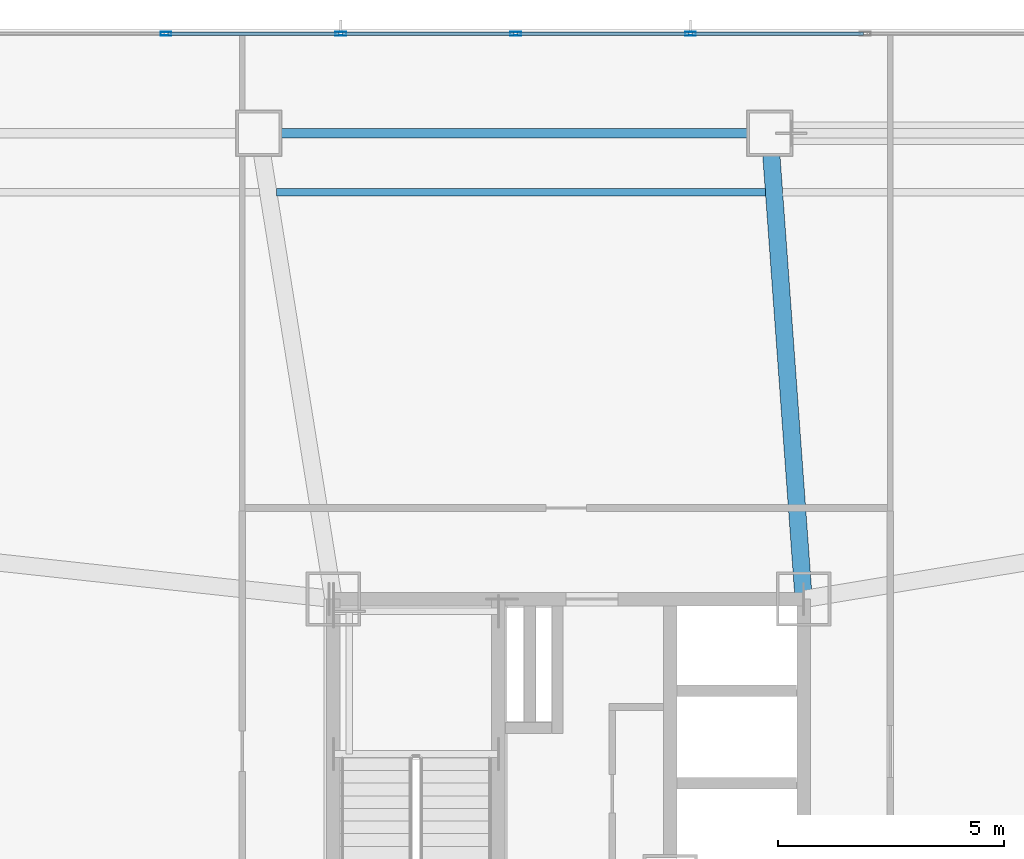
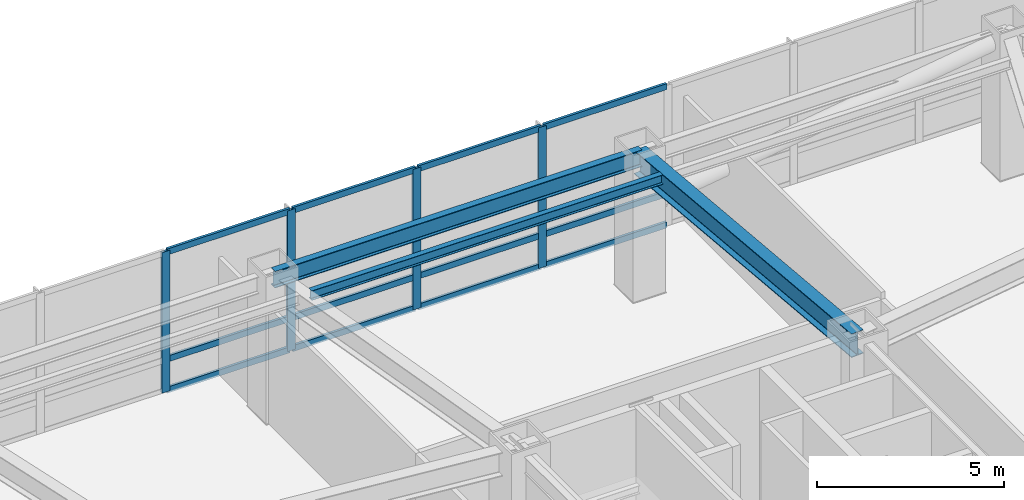
# One storey, part 3 of 14: 16 members, 3 beams, 1 element without a shape of its own.
"""IFC4 building model written with IfcOpenShell, lengths in metres."""

import ifcopenshell
import ifcopenshell.guid

model = None  # the IFC model being written
_history = None  # IfcOwnerHistory: only IFC2X3 demands one
_inside = {}  # id of a spatial element -> (the spatial element, [elements in it])
_under = {}  # id of a project, library or spatial element -> (it, [spatial elements below it])
_declared = {}  # id of a project -> (the project, [libraries it declares])
_typed = {}  # id of a type object -> (the type object, [elements of that type])
_made_of = {}  # id of a material, layer set ... -> (it, [elements and type objects made of it])


def new_model(schema):
    """Start an empty IFC model of exactly this schema.

    Asked for "IFC4X3", IfcOpenShell would pick the latest addendum, in which some entities
    have other attributes; the version numbers below select the first issue.
    IFC2X3 requires an IfcOwnerHistory on every rooted entity: one is made here for all.
    """
    global model, _history
    if schema == "IFC4X3":
        model = ifcopenshell.file(schema_version=(4, 3, 0, 0))
    else:
        model = ifcopenshell.file(schema=schema)
    _inside.clear()
    _under.clear()
    _declared.clear()
    _typed.clear()
    _made_of.clear()
    _history = None
    if model.schema == "IFC2X3":
        org = make("IfcOrganization", Name="unknown")
        user = make(
            "IfcPersonAndOrganization",
            ThePerson=make("IfcPerson", FamilyName="unknown"),
            TheOrganization=org,
        )
        app = make(
            "IfcApplication",
            ApplicationDeveloper=org,
            Version="unknown",
            ApplicationFullName="unknown",
            ApplicationIdentifier="unknown",
        )
        _history = make(
            "IfcOwnerHistory",
            OwningUser=user,
            OwningApplication=app,
            ChangeAction="ADDED",
            CreationDate=0,
        )
    return model


def make(cls, **values):
    """One entity of the class cls with the attributes given. An attribute that is None is left unset."""
    return model.create_entity(
        cls, **{name: value for name, value in values.items() if value is not None}
    )


def rooted(cls, **values):
    """An entity with a GlobalId (a new one), such as an element, a storey or a relation."""
    return make(cls, GlobalId=ifcopenshell.guid.new(), OwnerHistory=_history, **values)


def si_unit(unit_type, name, prefix=None):
    """IfcSIUnit, for example si_unit("LENGTHUNIT", "METRE", prefix="MILLI")."""
    return make("IfcSIUnit", UnitType=unit_type, Prefix=prefix, Name=name)


def assignment(units):
    """IfcUnitAssignment: the units of a project."""
    return None if units is None else make("IfcUnitAssignment", Units=units)


def point(xyz):
    """IfcCartesianPoint."""
    return None if xyz is None else make("IfcCartesianPoint", Coordinates=xyz)


def direction(xyz):
    """IfcDirection."""
    return None if xyz is None else make("IfcDirection", DirectionRatios=xyz)


def frame(location, z_axis=None, x_axis=None):
    """IfcAxis2Placement3D, a coordinate frame: its origin and axes. An axis left out is left unset."""
    return make(
        "IfcAxis2Placement3D",
        Location=point(location),
        Axis=direction(z_axis),
        RefDirection=direction(x_axis),
    )


def frame_2d(location, x_axis=None):
    """IfcAxis2Placement2D, a coordinate frame in the plane: its origin and x axis."""
    return make(
        "IfcAxis2Placement2D", Location=point(location), RefDirection=direction(x_axis)
    )


def origin():
    """The frame at (0, 0, 0) with its axes left unset."""
    return frame((0.0, 0.0, 0.0))


def origin_2d():
    """The frame at (0, 0) in the plane with its x axis left unset."""
    return frame_2d((0.0, 0.0))


def place(relative_to, where):
    """IfcLocalPlacement: puts the frame where relative to a parent placement (None: the world)."""
    return make(
        "IfcLocalPlacement", PlacementRelTo=relative_to, RelativePlacement=where
    )


def context(
    kind, dimensions, precision=None, world=None, true_north=None, identifier=None
):
    """IfcGeometricRepresentationContext, for example the 3D "Model" context."""
    return make(
        "IfcGeometricRepresentationContext",
        ContextIdentifier=identifier,
        ContextType=kind,
        CoordinateSpaceDimension=dimensions,
        Precision=precision,
        WorldCoordinateSystem=world,
        TrueNorth=true_north,
    )


def subcontext(parent, identifier, kind, view, scale=None):
    """IfcGeometricRepresentationSubContext, for example "Body" below "Model"."""
    return make(
        "IfcGeometricRepresentationSubContext",
        ContextIdentifier=identifier,
        ContextType=kind,
        ParentContext=parent,
        TargetScale=scale,
        TargetView=view,
    )


def project(units=None, contexts=None):
    """IfcProject with its units and contexts."""
    return rooted(
        "IfcProject",
        Name="project",
        RepresentationContexts=contexts,
        UnitsInContext=assignment(units),
    )


def spatial(cls, under=None, at=None, **own):
    """A site, building, storey or space (cls), placed at a placement, below another one or the project."""
    s = rooted(cls, ObjectPlacement=at, **own)
    if under is not None:
        _under.setdefault(under.id(), (under, []))[1].append(s)
    return s


def profile(cls, at=None, kind="AREA", **sizes):
    """A parametric profile (cls). Its sizes go by their IFC names, for example OverallWidth=200.0."""
    return make(cls, ProfileType=kind, Position=at, **sizes)


def hollow_rectangle(**sizes):
    """IfcRectangleHollowProfileDef."""
    return profile("IfcRectangleHollowProfileDef", **sizes)


def i_section(**sizes):
    """IfcIShapeProfileDef."""
    return profile("IfcIShapeProfileDef", **sizes)


def extrude(swept, where, along, depth):
    """IfcExtrudedAreaSolid: the profile swept, set in the frame where, extruded along a direction by depth."""
    return make(
        "IfcExtrudedAreaSolid",
        SweptArea=swept,
        Position=where,
        ExtrudedDirection=direction(along),
        Depth=depth,
    )


def shape(context_of_items, identifier, shape_type, items):
    """IfcShapeRepresentation: the items that make up one representation, for example the "Body"."""
    return make(
        "IfcShapeRepresentation",
        ContextOfItems=context_of_items,
        RepresentationIdentifier=identifier,
        RepresentationType=shape_type,
        Items=items,
    )


def material(Name=None, Category=None):
    """IfcMaterial."""
    return make("IfcMaterial", Name=Name, Category=Category)


def material_profile(
    of_material, cross_section, Name=None, Category=None, Priority=None
):
    """IfcMaterialProfile: a cross section and its material."""
    return make(
        "IfcMaterialProfile",
        Name=Name,
        Material=of_material,
        Profile=cross_section,
        Priority=Priority,
        Category=Category,
    )


def profile_set(profiles, Name=None, composite=None):
    """IfcMaterialProfileSet."""
    return make(
        "IfcMaterialProfileSet",
        Name=Name,
        MaterialProfiles=profiles,
        CompositeProfile=composite,
    )


def made_of(thing, what):
    """Note that an element or type object is made of a material, layer set ...; save() writes the relation."""
    if what is not None:
        _made_of.setdefault(what.id(), (what, []))[1].append(thing)
    return thing


def type_object(cls, material=None, **own):
    """A type object (cls), such as IfcWallType, which elements share."""
    return made_of(rooted(cls, **own), material)


def element(
    cls,
    number,
    at=None,
    inside=None,
    cuts=None,
    type_object=None,
    material=None,
    context=None,
    identifier="Body",
    shape_type=None,
    held_by="IfcProductDefinitionShape",
    body=None,
    shapes=None,
    **own,
):
    """One element of the class cls, such as IfcWall. Its Tag is "e" and its number.

    at: its placement. inside: the storey or other place that contains it. cuts: it is an
    opening in that element (IfcRelVoidsElement). A single representation is given by context,
    identifier, shape_type and body (its items); several are given by shapes. held_by: the class
    of the entity that holds the representations. save() writes the other relations.
    """
    e = rooted(cls, Tag="e%d" % number, ObjectPlacement=at, **own)
    if body is not None:
        shapes = [shape(context, identifier, shape_type, body)]
    if shapes is not None:
        e.Representation = make(held_by, Representations=shapes)
    if inside is not None:
        _inside.setdefault(inside.id(), (inside, []))[1].append(e)
    if cuts is not None:
        rooted(
            "IfcRelVoidsElement", RelatingBuildingElement=cuts, RelatedOpeningElement=e
        )
    if type_object is not None:
        _typed.setdefault(type_object.id(), (type_object, []))[1].append(e)
    return made_of(e, material)


def aggregate(whole, parts):
    """IfcRelAggregates: a whole, such as a stair, and the parts it consists of."""
    return rooted("IfcRelAggregates", RelatingObject=whole, RelatedObjects=parts)


def save(model, path):
    """Write the relations noted so far, then the file.

    IfcRelAggregates (storeys below a building ...), IfcRelContainedInSpatialStructure (elements
    in a storey), IfcRelDefinesByType, IfcRelAssociatesMaterial and IfcRelDeclares: one each for
    every whole, place, type object, material and project.
    """
    for whole, parts in _under.values():
        aggregate(whole, parts)
    for where, things in _inside.values():
        rooted(
            "IfcRelContainedInSpatialStructure",
            RelatedElements=things,
            RelatingStructure=where,
        )
    for kind, things in _typed.values():
        rooted("IfcRelDefinesByType", RelatedObjects=things, RelatingType=kind)
    for what, things in _made_of.values():
        rooted("IfcRelAssociatesMaterial", RelatedObjects=things, RelatingMaterial=what)
    for by, libraries in _declared.values():
        rooted("IfcRelDeclares", RelatingContext=by, RelatedDefinitions=libraries)
    model.write(path)


model = new_model("IFC4")

# Units and contexts
model_context = context("Model", 3, precision=1e-05, world=origin(), true_north=direction((0.0, 1.0)))
body_context = subcontext(model_context, "Body", "Model", "MODEL_VIEW")
ifc_project = project(units=[si_unit("LENGTHUNIT", "METRE"), si_unit("AREAUNIT", "SQUARE_METRE"), si_unit("VOLUMEUNIT", "CUBIC_METRE"), si_unit("PLANEANGLEUNIT", "RADIAN"), si_unit("MASSUNIT", "GRAM", prefix="KILO")], contexts=[model_context])

# Site, building, storey
site_placement = place(None, origin())
site = spatial("IfcSite", under=ifc_project, at=site_placement, CompositionType="ELEMENT")
building_placement = place(site_placement, origin())
building = spatial("IfcBuilding", under=site, at=building_placement, Name="Khamvora Tower", CompositionType="ELEMENT")
storey_placement = place(building_placement, frame((0.0, 0.0, 89.800048828125)))
storey = spatial("IfcBuildingStorey", under=building, at=storey_placement, Name="L22", CompositionType="ELEMENT", Elevation=89.800048828125)

# Beams
ifc_material_1 = material(Name="Steel S355", Category="steel")
ifc_material_profile_1 = material_profile(ifc_material_1, i_section(OverallWidth=0.166015625, OverallDepth=0.31298828125, WebThickness=0.007080078125, FlangeThickness=0.010986328125, FilletRadius=0.010009765625, at=origin_2d()), Name="W310x45")
ifc_profile_set_1 = profile_set([ifc_material_profile_1], Name="Steel S355")
beam_type_1 = type_object("IfcBeamType", Name="BM-JS-W310x45", PredefinedType="JOIST", material=ifc_profile_set_1)
beam_1_placement = place(storey_placement, frame((27.74609375, 46.0, 4.424072265625), z_axis=(1.0, 0.0, 0.0), x_axis=(0.0, 1.0, 0.0)))
element("IfcBeam", 1, at=beam_1_placement, inside=storey, type_object=beam_type_1, Name="L22 secondary floor joist 07", PredefinedType="JOIST", context=body_context, shape_type="SweptSolid", body=[
    extrude(i_section(OverallWidth=0.166015625, OverallDepth=0.31298828125, WebThickness=0.007080078125, FlangeThickness=0.010986328125, FilletRadius=0.010009765625, at=origin_2d()), origin(), (0.0, 0.0, 1.0), 10.81298828125),
])
ifc_material_profile_2 = material_profile(ifc_material_1, i_section(OverallWidth=0.381103515625, OverallDepth=0.77294921875, WebThickness=0.01708984375, FlangeThickness=0.027099609375, FilletRadius=0.01806640625, at=origin_2d()), Name="W760x257")
ifc_profile_set_2 = profile_set([ifc_material_profile_2], Name="Steel S355")
beam_type_2 = type_object("IfcBeamType", Name="BM-PG-W760x257", PredefinedType="BEAM", material=ifc_profile_set_2)
beam_2_placement = place(storey_placement, frame((39.39990234375, 37.0, 4.19287109375), z_axis=(-0.07262291808, 0.997359469685, 0.0), x_axis=(-0.997359469685, -0.07262291808, 0.0)))
element("IfcBeam", 2, at=beam_2_placement, inside=storey, type_object=beam_type_2, Name="L22 primary floor girder N3", PredefinedType="BEAM", context=body_context, shape_type="SweptSolid", body=[
    extrude(i_section(OverallWidth=0.381103515625, OverallDepth=0.77294921875, WebThickness=0.01708984375, FlangeThickness=0.027099609375, FilletRadius=0.01806640625, at=origin_2d()), origin(), (0.0, 0.0, 1.0), 10.327392578125),
])
ifc_material_profile_3 = material_profile(ifc_material_1, i_section(OverallWidth=0.2119140625, OverallDepth=0.5439453125, WebThickness=0.012939453125, FlangeThickness=0.02099609375, FilletRadius=0.013916015625, at=origin_2d()), Name="W530x123")
ifc_profile_set_3 = profile_set([ifc_material_profile_3], Name="Steel S355")
beam_type_3 = type_object("IfcBeamType", Name="BM-SP-W530x123", PredefinedType="SPANDREL", material=ifc_profile_set_3)
beam_3_placement = place(storey_placement, frame((38.64990234375, 47.300048828125, 4.307861328125), z_axis=(-1.0, 0.0, 0.0), x_axis=(0.0, -1.0, 0.0)))
element("IfcBeam", 3, at=beam_3_placement, inside=storey, type_object=beam_type_3, Name="L22 perimeter spandrel beam N3-N2", PredefinedType="SPANDREL", context=body_context, shape_type="SweptSolid", body=[
    extrude(i_section(OverallWidth=0.2119140625, OverallDepth=0.5439453125, WebThickness=0.012939453125, FlangeThickness=0.02099609375, FilletRadius=0.013916015625, at=origin_2d()), origin(), (0.0, 0.0, 1.0), 11.2998046875),
])

# Curtain wall, members
ifc_material_2 = material(Name="Anodised Aluminium 6063-T6", Category="aluminium")
curtain_wall_type = type_object("IfcCurtainWallType", Name="CW-SYS-06", PredefinedType="NOTDEFINED", material=ifc_material_2)
curtain_wall_placement = place(storey_placement, origin())
curtain_wall = element("IfcCurtainWall", 4, at=curtain_wall_placement, inside=storey, type_object=curtain_wall_type, Name="L22 stick curtain wall 07.1", PredefinedType="NOTDEFINED")
ifc_material_profile_4 = material_profile(ifc_material_2, hollow_rectangle(XDim=0.080078125, YDim=0.239990234375, WallThickness=0.0048828125, at=origin_2d()), Name="MUL80x240x5")
ifc_profile_set_4 = profile_set([ifc_material_profile_4], Name="Anodised Aluminium 6063-T6")
member_type_1 = type_object("IfcMemberType", Name="CW-SYS-06-MUL", PredefinedType="MULLION", material=ifc_profile_set_4)
member_1_placement = place(storey_placement, frame((25.299072265625, 49.5, 0.0), z_axis=(0.0, 0.0, 1.0), x_axis=(0.0, 1.0, 0.0)))
member_1 = element("IfcMember", 5, at=member_1_placement, type_object=member_type_1, Name="CW-06 mullion 4", PredefinedType="MULLION", context=body_context, shape_type="SweptSolid", body=[
    extrude(hollow_rectangle(XDim=0.080078125, YDim=0.239990234375, WallThickness=0.0048828125, at=origin_2d()), origin(), (0.0, 0.0, 1.0), 4.579833984375),
])
member_2_placement = place(storey_placement, frame((29.164794921875, 49.5, 0.0), z_axis=(0.0, 0.0, 1.0), x_axis=(0.0, 1.0, 0.0)))
member_2 = element("IfcMember", 6, at=member_2_placement, type_object=member_type_1, Name="CW-06 mullion 5", PredefinedType="MULLION", context=body_context, shape_type="SweptSolid", body=[
    extrude(hollow_rectangle(XDim=0.080078125, YDim=0.239990234375, WallThickness=0.0048828125, at=origin_2d()), origin(), (0.0, 0.0, 1.0), 4.579833984375),
])
member_3_placement = place(storey_placement, frame((33.030517578125, 49.5, 0.0), z_axis=(0.0, 0.0, 1.0), x_axis=(0.0, 1.0, 0.0)))
member_3 = element("IfcMember", 7, at=member_3_placement, type_object=member_type_1, Name="CW-06 mullion 6", PredefinedType="MULLION", context=body_context, shape_type="SweptSolid", body=[
    extrude(hollow_rectangle(XDim=0.080078125, YDim=0.239990234375, WallThickness=0.0048828125, at=origin_2d()), origin(), (0.0, 0.0, 1.0), 4.579833984375),
])
member_4_placement = place(storey_placement, frame((36.896240234375, 49.5, 0.0), z_axis=(0.0, 0.0, 1.0), x_axis=(0.0, 1.0, 0.0)))
member_4 = element("IfcMember", 8, at=member_4_placement, type_object=member_type_1, Name="CW-06 mullion 7", PredefinedType="MULLION", context=body_context, shape_type="SweptSolid", body=[
    extrude(hollow_rectangle(XDim=0.080078125, YDim=0.239990234375, WallThickness=0.0048828125, at=origin_2d()), origin(), (0.0, 0.0, 1.0), 4.579833984375),
])
ifc_material_profile_5 = material_profile(ifc_material_2, hollow_rectangle(XDim=0.080078125, YDim=0.195068359375, WallThickness=0.0048828125, at=origin_2d()), Name="TRN80x195x5")
ifc_profile_set_5 = profile_set([ifc_material_profile_5], Name="Anodised Aluminium 6063-T6")
member_type_2 = type_object("IfcMemberType", Name="CW-SYS-06-TRN", PredefinedType="USERDEFINED", material=ifc_profile_set_5)
member_5_placement = place(storey_placement, frame((25.339111328125, 49.5, 0.0400390625), z_axis=(1.0, 0.0, 0.0), x_axis=(0.0, 1.0, 0.0)))
member_5 = element("IfcMember", 9, at=member_5_placement, type_object=member_type_2, Name="CW-06 transom 4.1", ObjectType="TRANSOM", PredefinedType="USERDEFINED", context=body_context, shape_type="SweptSolid", body=[
    extrude(hollow_rectangle(XDim=0.080078125, YDim=0.195068359375, WallThickness=0.0048828125, at=origin_2d()), origin(), (0.0, 0.0, 1.0), 3.78564453125),
])
member_6_placement = place(storey_placement, frame((25.339111328125, 49.5, 1.050048828125), z_axis=(1.0, 0.0, 0.0), x_axis=(0.0, 1.0, 0.0)))
member_6 = element("IfcMember", 10, at=member_6_placement, type_object=member_type_2, Name="CW-06 transom 4.2", ObjectType="TRANSOM", PredefinedType="USERDEFINED", context=body_context, shape_type="SweptSolid", body=[
    extrude(hollow_rectangle(XDim=0.080078125, YDim=0.195068359375, WallThickness=0.0048828125, at=origin_2d()), origin(), (0.0, 0.0, 1.0), 3.78564453125),
])
member_7_placement = place(storey_placement, frame((25.339111328125, 49.5, 4.5400390625), z_axis=(1.0, 0.0, 0.0), x_axis=(0.0, 1.0, 0.0)))
member_7 = element("IfcMember", 11, at=member_7_placement, type_object=member_type_2, Name="CW-06 transom 4.3", ObjectType="TRANSOM", PredefinedType="USERDEFINED", context=body_context, shape_type="SweptSolid", body=[
    extrude(hollow_rectangle(XDim=0.080078125, YDim=0.195068359375, WallThickness=0.0048828125, at=origin_2d()), origin(), (0.0, 0.0, 1.0), 3.78564453125),
])
member_8_placement = place(storey_placement, frame((29.204833984375, 49.5, 0.0400390625), z_axis=(1.0, 0.0, 0.0), x_axis=(0.0, 1.0, 0.0)))
member_8 = element("IfcMember", 12, at=member_8_placement, type_object=member_type_2, Name="CW-06 transom 5.1", ObjectType="TRANSOM", PredefinedType="USERDEFINED", context=body_context, shape_type="SweptSolid", body=[
    extrude(hollow_rectangle(XDim=0.080078125, YDim=0.195068359375, WallThickness=0.0048828125, at=origin_2d()), origin(), (0.0, 0.0, 1.0), 3.78564453125),
])
member_9_placement = place(storey_placement, frame((29.204833984375, 49.5, 1.050048828125), z_axis=(1.0, 0.0, 0.0), x_axis=(0.0, 1.0, 0.0)))
member_9 = element("IfcMember", 13, at=member_9_placement, type_object=member_type_2, Name="CW-06 transom 5.2", ObjectType="TRANSOM", PredefinedType="USERDEFINED", context=body_context, shape_type="SweptSolid", body=[
    extrude(hollow_rectangle(XDim=0.080078125, YDim=0.195068359375, WallThickness=0.0048828125, at=origin_2d()), origin(), (0.0, 0.0, 1.0), 3.78564453125),
])
member_10_placement = place(storey_placement, frame((29.204833984375, 49.5, 4.5400390625), z_axis=(1.0, 0.0, 0.0), x_axis=(0.0, 1.0, 0.0)))
member_10 = element("IfcMember", 14, at=member_10_placement, type_object=member_type_2, Name="CW-06 transom 5.3", ObjectType="TRANSOM", PredefinedType="USERDEFINED", context=body_context, shape_type="SweptSolid", body=[
    extrude(hollow_rectangle(XDim=0.080078125, YDim=0.195068359375, WallThickness=0.0048828125, at=origin_2d()), origin(), (0.0, 0.0, 1.0), 3.78564453125),
])
member_11_placement = place(storey_placement, frame((33.070556640625, 49.5, 0.0400390625), z_axis=(1.0, 0.0, 0.0), x_axis=(0.0, 1.0, 0.0)))
member_11 = element("IfcMember", 15, at=member_11_placement, type_object=member_type_2, Name="CW-06 transom 6.1", ObjectType="TRANSOM", PredefinedType="USERDEFINED", context=body_context, shape_type="SweptSolid", body=[
    extrude(hollow_rectangle(XDim=0.080078125, YDim=0.195068359375, WallThickness=0.0048828125, at=origin_2d()), origin(), (0.0, 0.0, 1.0), 3.78564453125),
])
member_12_placement = place(storey_placement, frame((33.070556640625, 49.5, 1.050048828125), z_axis=(1.0, 0.0, 0.0), x_axis=(0.0, 1.0, 0.0)))
member_12 = element("IfcMember", 16, at=member_12_placement, type_object=member_type_2, Name="CW-06 transom 6.2", ObjectType="TRANSOM", PredefinedType="USERDEFINED", context=body_context, shape_type="SweptSolid", body=[
    extrude(hollow_rectangle(XDim=0.080078125, YDim=0.195068359375, WallThickness=0.0048828125, at=origin_2d()), origin(), (0.0, 0.0, 1.0), 3.78564453125),
])
member_13_placement = place(storey_placement, frame((33.070556640625, 49.5, 4.5400390625), z_axis=(1.0, 0.0, 0.0), x_axis=(0.0, 1.0, 0.0)))
member_13 = element("IfcMember", 17, at=member_13_placement, type_object=member_type_2, Name="CW-06 transom 6.3", ObjectType="TRANSOM", PredefinedType="USERDEFINED", context=body_context, shape_type="SweptSolid", body=[
    extrude(hollow_rectangle(XDim=0.080078125, YDim=0.195068359375, WallThickness=0.0048828125, at=origin_2d()), origin(), (0.0, 0.0, 1.0), 3.78564453125),
])
member_14_placement = place(storey_placement, frame((36.936279296875, 49.5, 0.0400390625), z_axis=(1.0, 0.0, 0.0), x_axis=(0.0, 1.0, 0.0)))
member_14 = element("IfcMember", 18, at=member_14_placement, type_object=member_type_2, Name="CW-06 transom 7.1", ObjectType="TRANSOM", PredefinedType="USERDEFINED", context=body_context, shape_type="SweptSolid", body=[
    extrude(hollow_rectangle(XDim=0.080078125, YDim=0.195068359375, WallThickness=0.0048828125, at=origin_2d()), origin(), (0.0, 0.0, 1.0), 3.78564453125),
])
member_15_placement = place(storey_placement, frame((36.936279296875, 49.5, 1.050048828125), z_axis=(1.0, 0.0, 0.0), x_axis=(0.0, 1.0, 0.0)))
member_15 = element("IfcMember", 19, at=member_15_placement, type_object=member_type_2, Name="CW-06 transom 7.2", ObjectType="TRANSOM", PredefinedType="USERDEFINED", context=body_context, shape_type="SweptSolid", body=[
    extrude(hollow_rectangle(XDim=0.080078125, YDim=0.195068359375, WallThickness=0.0048828125, at=origin_2d()), origin(), (0.0, 0.0, 1.0), 3.78564453125),
])
member_16_placement = place(storey_placement, frame((36.936279296875, 49.5, 4.5400390625), z_axis=(1.0, 0.0, 0.0), x_axis=(0.0, 1.0, 0.0)))
member_16 = element("IfcMember", 20, at=member_16_placement, type_object=member_type_2, Name="CW-06 transom 7.3", ObjectType="TRANSOM", PredefinedType="USERDEFINED", context=body_context, shape_type="SweptSolid", body=[
    extrude(hollow_rectangle(XDim=0.080078125, YDim=0.195068359375, WallThickness=0.0048828125, at=origin_2d()), origin(), (0.0, 0.0, 1.0), 3.78564453125),
])
aggregate(curtain_wall, [member_1, member_2, member_3, member_4, member_5, member_6, member_7, member_8, member_9, member_10, member_11, member_12, member_13, member_14, member_15, member_16])

save(model, "model.ifc")
